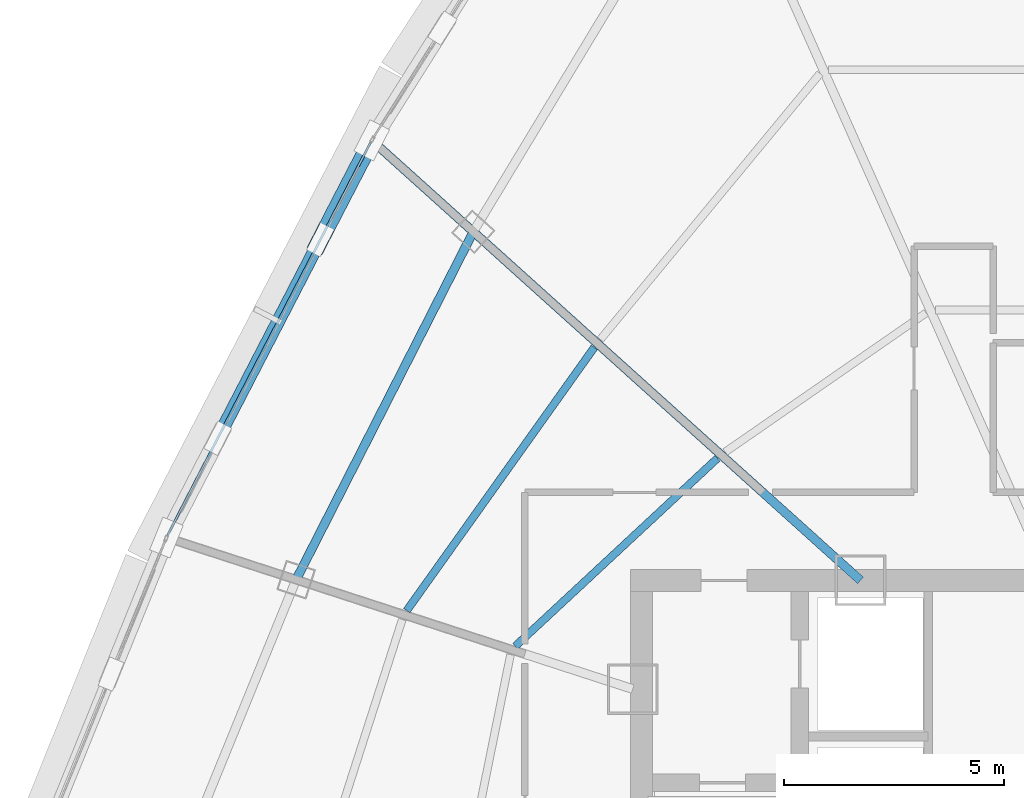
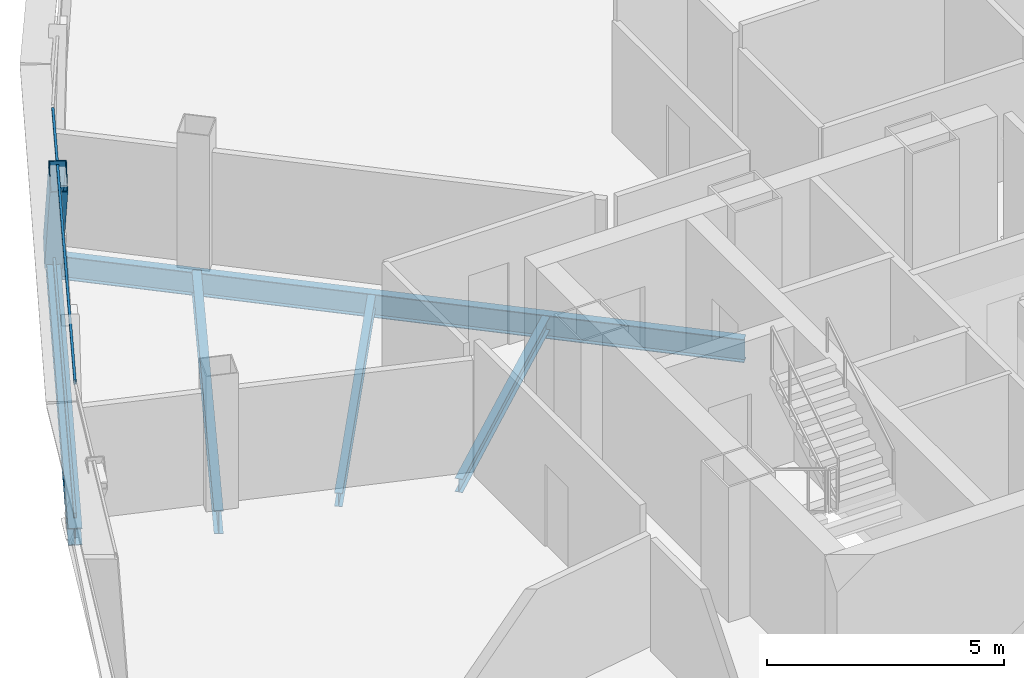
# One storey, part 8 of 28: 5 beams, 3 members, 1 element without a shape of its own.
"""IFC4 building model written with IfcOpenShell, lengths in metres."""

import ifcopenshell
import ifcopenshell.guid

model = None  # the IFC model being written
_history = None  # IfcOwnerHistory: only IFC2X3 demands one
_inside = {}  # id of a spatial element -> (the spatial element, [elements in it])
_under = {}  # id of a project, library or spatial element -> (it, [spatial elements below it])
_declared = {}  # id of a project -> (the project, [libraries it declares])
_typed = {}  # id of a type object -> (the type object, [elements of that type])
_made_of = {}  # id of a material, layer set ... -> (it, [elements and type objects made of it])


def new_model(schema):
    """Start an empty IFC model of exactly this schema.

    Asked for "IFC4X3", IfcOpenShell would pick the latest addendum, in which some entities
    have other attributes; the version numbers below select the first issue.
    IFC2X3 requires an IfcOwnerHistory on every rooted entity: one is made here for all.
    """
    global model, _history
    if schema == "IFC4X3":
        model = ifcopenshell.file(schema_version=(4, 3, 0, 0))
    else:
        model = ifcopenshell.file(schema=schema)
    _inside.clear()
    _under.clear()
    _declared.clear()
    _typed.clear()
    _made_of.clear()
    _history = None
    if model.schema == "IFC2X3":
        org = make("IfcOrganization", Name="unknown")
        user = make(
            "IfcPersonAndOrganization",
            ThePerson=make("IfcPerson", FamilyName="unknown"),
            TheOrganization=org,
        )
        app = make(
            "IfcApplication",
            ApplicationDeveloper=org,
            Version="unknown",
            ApplicationFullName="unknown",
            ApplicationIdentifier="unknown",
        )
        _history = make(
            "IfcOwnerHistory",
            OwningUser=user,
            OwningApplication=app,
            ChangeAction="ADDED",
            CreationDate=0,
        )
    return model


def make(cls, **values):
    """One entity of the class cls with the attributes given. An attribute that is None is left unset."""
    return model.create_entity(
        cls, **{name: value for name, value in values.items() if value is not None}
    )


def rooted(cls, **values):
    """An entity with a GlobalId (a new one), such as an element, a storey or a relation."""
    return make(cls, GlobalId=ifcopenshell.guid.new(), OwnerHistory=_history, **values)


def si_unit(unit_type, name, prefix=None):
    """IfcSIUnit, for example si_unit("LENGTHUNIT", "METRE", prefix="MILLI")."""
    return make("IfcSIUnit", UnitType=unit_type, Prefix=prefix, Name=name)


def assignment(units):
    """IfcUnitAssignment: the units of a project."""
    return None if units is None else make("IfcUnitAssignment", Units=units)


def point(xyz):
    """IfcCartesianPoint."""
    return None if xyz is None else make("IfcCartesianPoint", Coordinates=xyz)


def direction(xyz):
    """IfcDirection."""
    return None if xyz is None else make("IfcDirection", DirectionRatios=xyz)


def frame(location, z_axis=None, x_axis=None):
    """IfcAxis2Placement3D, a coordinate frame: its origin and axes. An axis left out is left unset."""
    return make(
        "IfcAxis2Placement3D",
        Location=point(location),
        Axis=direction(z_axis),
        RefDirection=direction(x_axis),
    )


def frame_2d(location, x_axis=None):
    """IfcAxis2Placement2D, a coordinate frame in the plane: its origin and x axis."""
    return make(
        "IfcAxis2Placement2D", Location=point(location), RefDirection=direction(x_axis)
    )


def origin():
    """The frame at (0, 0, 0) with its axes left unset."""
    return frame((0.0, 0.0, 0.0))


def origin_2d():
    """The frame at (0, 0) in the plane with its x axis left unset."""
    return frame_2d((0.0, 0.0))


def place(relative_to, where):
    """IfcLocalPlacement: puts the frame where relative to a parent placement (None: the world)."""
    return make(
        "IfcLocalPlacement", PlacementRelTo=relative_to, RelativePlacement=where
    )


def context(
    kind, dimensions, precision=None, world=None, true_north=None, identifier=None
):
    """IfcGeometricRepresentationContext, for example the 3D "Model" context."""
    return make(
        "IfcGeometricRepresentationContext",
        ContextIdentifier=identifier,
        ContextType=kind,
        CoordinateSpaceDimension=dimensions,
        Precision=precision,
        WorldCoordinateSystem=world,
        TrueNorth=true_north,
    )


def subcontext(parent, identifier, kind, view, scale=None):
    """IfcGeometricRepresentationSubContext, for example "Body" below "Model"."""
    return make(
        "IfcGeometricRepresentationSubContext",
        ContextIdentifier=identifier,
        ContextType=kind,
        ParentContext=parent,
        TargetScale=scale,
        TargetView=view,
    )


def project(units=None, contexts=None):
    """IfcProject with its units and contexts."""
    return rooted(
        "IfcProject",
        Name="project",
        RepresentationContexts=contexts,
        UnitsInContext=assignment(units),
    )


def spatial(cls, under=None, at=None, **own):
    """A site, building, storey or space (cls), placed at a placement, below another one or the project."""
    s = rooted(cls, ObjectPlacement=at, **own)
    if under is not None:
        _under.setdefault(under.id(), (under, []))[1].append(s)
    return s


def profile(cls, at=None, kind="AREA", **sizes):
    """A parametric profile (cls). Its sizes go by their IFC names, for example OverallWidth=200.0."""
    return make(cls, ProfileType=kind, Position=at, **sizes)


def hollow_rectangle(**sizes):
    """IfcRectangleHollowProfileDef."""
    return profile("IfcRectangleHollowProfileDef", **sizes)


def i_section(**sizes):
    """IfcIShapeProfileDef."""
    return profile("IfcIShapeProfileDef", **sizes)


def extrude(swept, where, along, depth):
    """IfcExtrudedAreaSolid: the profile swept, set in the frame where, extruded along a direction by depth."""
    return make(
        "IfcExtrudedAreaSolid",
        SweptArea=swept,
        Position=where,
        ExtrudedDirection=direction(along),
        Depth=depth,
    )


def shape(context_of_items, identifier, shape_type, items):
    """IfcShapeRepresentation: the items that make up one representation, for example the "Body"."""
    return make(
        "IfcShapeRepresentation",
        ContextOfItems=context_of_items,
        RepresentationIdentifier=identifier,
        RepresentationType=shape_type,
        Items=items,
    )


def source(mapping_origin, context_of_items, identifier, shape_type, items):
    """IfcRepresentationMap: a shape defined once, which mapped items show again and again."""
    return make(
        "IfcRepresentationMap",
        MappingOrigin=mapping_origin,
        MappedRepresentation=shape(context_of_items, identifier, shape_type, items),
    )


def transform(
    local_origin,
    x_axis=None,
    y_axis=None,
    z_axis=None,
    scale=None,
    scale2=None,
    scale3=None,
    uniform=True,
):
    """IfcCartesianTransformationOperator3D, or its non-uniform kind. x_axis, y_axis, z_axis: its Axis1, 2, 3."""
    if uniform:
        return make(
            "IfcCartesianTransformationOperator3D",
            Axis1=direction(x_axis),
            Axis2=direction(y_axis),
            LocalOrigin=point(local_origin),
            Scale=scale,
            Axis3=direction(z_axis),
        )
    return make(
        "IfcCartesianTransformationOperator3DnonUniform",
        Axis1=direction(x_axis),
        Axis2=direction(y_axis),
        LocalOrigin=point(local_origin),
        Scale=scale,
        Axis3=direction(z_axis),
        Scale2=scale2,
        Scale3=scale3,
    )


def mapped(mapping_source, mapping_target):
    """IfcMappedItem: shows the shape of a source again, moved by a transform."""
    return make(
        "IfcMappedItem", MappingSource=mapping_source, MappingTarget=mapping_target
    )


def material(Name=None, Category=None):
    """IfcMaterial."""
    return make("IfcMaterial", Name=Name, Category=Category)


def layer(
    of_material, thickness, ventilated=None, Name=None, Category=None, Priority=None
):
    """IfcMaterialLayer: one layer of a wall or slab, of a material (None: an air gap)."""
    return make(
        "IfcMaterialLayer",
        Material=of_material,
        LayerThickness=thickness,
        IsVentilated=ventilated,
        Name=Name,
        Category=Category,
        Priority=Priority,
    )


def layer_set(layers, Name=None):
    """IfcMaterialLayerSet."""
    return make("IfcMaterialLayerSet", MaterialLayers=layers, LayerSetName=Name)


def material_profile(
    of_material, cross_section, Name=None, Category=None, Priority=None
):
    """IfcMaterialProfile: a cross section and its material."""
    return make(
        "IfcMaterialProfile",
        Name=Name,
        Material=of_material,
        Profile=cross_section,
        Priority=Priority,
        Category=Category,
    )


def profile_set(profiles, Name=None, composite=None):
    """IfcMaterialProfileSet."""
    return make(
        "IfcMaterialProfileSet",
        Name=Name,
        MaterialProfiles=profiles,
        CompositeProfile=composite,
    )


def made_of(thing, what):
    """Note that an element or type object is made of a material, layer set ...; save() writes the relation."""
    if what is not None:
        _made_of.setdefault(what.id(), (what, []))[1].append(thing)
    return thing


def type_object(cls, material=None, **own):
    """A type object (cls), such as IfcWallType, which elements share."""
    return made_of(rooted(cls, **own), material)


def element(
    cls,
    number,
    at=None,
    inside=None,
    cuts=None,
    type_object=None,
    material=None,
    context=None,
    identifier="Body",
    shape_type=None,
    held_by="IfcProductDefinitionShape",
    body=None,
    shapes=None,
    **own,
):
    """One element of the class cls, such as IfcWall. Its Tag is "e" and its number.

    at: its placement. inside: the storey or other place that contains it. cuts: it is an
    opening in that element (IfcRelVoidsElement). A single representation is given by context,
    identifier, shape_type and body (its items); several are given by shapes. held_by: the class
    of the entity that holds the representations. save() writes the other relations.
    """
    e = rooted(cls, Tag="e%d" % number, ObjectPlacement=at, **own)
    if body is not None:
        shapes = [shape(context, identifier, shape_type, body)]
    if shapes is not None:
        e.Representation = make(held_by, Representations=shapes)
    if inside is not None:
        _inside.setdefault(inside.id(), (inside, []))[1].append(e)
    if cuts is not None:
        rooted(
            "IfcRelVoidsElement", RelatingBuildingElement=cuts, RelatedOpeningElement=e
        )
    if type_object is not None:
        _typed.setdefault(type_object.id(), (type_object, []))[1].append(e)
    return made_of(e, material)


def aggregate(whole, parts):
    """IfcRelAggregates: a whole, such as a stair, and the parts it consists of."""
    return rooted("IfcRelAggregates", RelatingObject=whole, RelatedObjects=parts)


def save(model, path):
    """Write the relations noted so far, then the file.

    IfcRelAggregates (storeys below a building ...), IfcRelContainedInSpatialStructure (elements
    in a storey), IfcRelDefinesByType, IfcRelAssociatesMaterial and IfcRelDeclares: one each for
    every whole, place, type object, material and project.
    """
    for whole, parts in _under.values():
        aggregate(whole, parts)
    for where, things in _inside.values():
        rooted(
            "IfcRelContainedInSpatialStructure",
            RelatedElements=things,
            RelatingStructure=where,
        )
    for kind, things in _typed.values():
        rooted("IfcRelDefinesByType", RelatedObjects=things, RelatingType=kind)
    for what, things in _made_of.values():
        rooted("IfcRelAssociatesMaterial", RelatedObjects=things, RelatingMaterial=what)
    for by, libraries in _declared.values():
        rooted("IfcRelDeclares", RelatingContext=by, RelatedDefinitions=libraries)
    model.write(path)


model = new_model("IFC4")

# Units and contexts
model_context = context("Model", 3, precision=1e-05, world=origin(), true_north=direction((0.0, 1.0)))
body_context = subcontext(model_context, "Body", "Model", "MODEL_VIEW")
ifc_project = project(units=[si_unit("LENGTHUNIT", "METRE"), si_unit("AREAUNIT", "SQUARE_METRE"), si_unit("VOLUMEUNIT", "CUBIC_METRE"), si_unit("PLANEANGLEUNIT", "RADIAN"), si_unit("MASSUNIT", "GRAM", prefix="KILO"), si_unit("THERMODYNAMICTEMPERATUREUNIT", "KELVIN"), si_unit("POWERUNIT", "WATT")], contexts=[model_context])

# Site, building, storey
site_placement = place(None, origin())
site = spatial("IfcSite", under=ifc_project, at=site_placement, CompositionType="ELEMENT")
building_placement = place(site_placement, origin())
building = spatial("IfcBuilding", under=site, at=building_placement, Name="Yunzhuo Pagoda Commons", CompositionType="ELEMENT")
storey_placement = place(building_placement, frame((0.0, 0.0, 336.760009765625)))
storey = spatial("IfcBuildingStorey", under=building, at=storey_placement, Name="L84", CompositionType="ELEMENT", Elevation=336.760009765625)

# Beams
ifc_material_1 = material(Name="Structural steel Q355B", Category="steel")
ifc_material_profile_1 = material_profile(ifc_material_1, i_section(OverallWidth=0.199951171875, OverallDepth=0.60009765625, WebThickness=0.010986328125, FlangeThickness=0.01708984375, at=origin_2d()), Name="Structural steel Q355B")
ifc_profile_set_1 = profile_set([ifc_material_profile_1], Name="Structural steel Q355B")
beam_type_1 = type_object("IfcBeamType", Name="B-RG3 Beam HN 600x200x11x17", PredefinedType="BEAM", material=ifc_profile_set_1)
shared_shape_1 = source(origin(), body_context, "Body", "SweptSolid", [
    extrude(i_section(OverallWidth=0.199951171875, OverallDepth=0.60009765625, WebThickness=0.010986328125, FlangeThickness=0.01708984375, at=origin_2d()), origin(), (0.0, 0.0, 1.0), 8.87939453125),
])
beam_1_placement = place(storey_placement, frame((31.975341796875, 48.128662109375, -0.56005859375), z_axis=(-0.453723535687, -0.891142498798, 0.0), x_axis=(0.891142498798, -0.453723535687, 0.0)))
element("IfcBeam", 1, at=beam_1_placement, inside=storey, type_object=beam_type_1, Name="L84 column-ring beam 10", PredefinedType="BEAM", context=body_context, shape_type="MappedRepresentation", body=[
    mapped(shared_shape_1, transform((0.0, 0.0, 0.0), scale=1.0)),
])
ifc_material_profile_2 = material_profile(ifc_material_1, i_section(OverallWidth=0.175048828125, OverallDepth=0.35009765625, WebThickness=0.007080078125, FlangeThickness=0.010986328125, at=origin_2d()), Name="Structural steel Q355B")
ifc_profile_set_2 = profile_set([ifc_material_profile_2], Name="Structural steel Q355B")
beam_type_2 = type_object("IfcBeamType", Name="B-JS2 Joist HN 350x175x7x11", PredefinedType="JOIST", material=ifc_profile_set_2)
shared_shape_2 = source(origin(), body_context, "Body", "SweptSolid", [
    extrude(i_section(OverallWidth=0.175048828125, OverallDepth=0.35009765625, WebThickness=0.007080078125, FlangeThickness=0.010986328125, at=origin_2d()), origin(), (0.0, 0.0, 1.0), 6.277099609375),
])
beam_2_placement = place(storey_placement, frame((37.526611328125, 42.97607421875, -0.43505859375), z_axis=(-0.73244154109, -0.68082992655, 0.0), x_axis=(0.68082992655, -0.73244154109, 0.0)))
element("IfcBeam", 2, at=beam_2_placement, inside=storey, type_object=beam_type_2, Name="L84 composite ring joist 1.10", PredefinedType="JOIST", context=body_context, shape_type="MappedRepresentation", body=[
    mapped(shared_shape_2, transform((0.0, 0.0, 0.0), scale=1.0)),
])
shared_shape_3 = source(origin(), body_context, "Body", "SweptSolid", [
    extrude(i_section(OverallWidth=0.175048828125, OverallDepth=0.35009765625, WebThickness=0.007080078125, FlangeThickness=0.010986328125, at=origin_2d()), origin(), (0.0, 0.0, 1.0), 7.347900390625),
])
beam_3_placement = place(storey_placement, frame((34.726318359375, 45.497802734375, -0.43505859375), z_axis=(-0.580294898948, -0.814406428177, 0.0), x_axis=(0.814406428177, -0.580294898948, 0.0)))
element("IfcBeam", 3, at=beam_3_placement, inside=storey, type_object=beam_type_2, Name="L84 composite ring joist 2.10", PredefinedType="JOIST", context=body_context, shape_type="MappedRepresentation", body=[
    mapped(shared_shape_3, transform((0.0, 0.0, 0.0), scale=1.0)),
])
shared_shape_4 = source(origin(), body_context, "Body", "SweptSolid", [
    extrude(i_section(OverallWidth=0.199951171875, OverallDepth=0.60009765625, WebThickness=0.010986328125, FlangeThickness=0.01708984375, at=origin_2d()), origin(), (0.0, 0.0, 1.0), 14.802001953125),
])
beam_4_placement = place(storey_placement, frame((29.781005859375, 50.1044921875, -0.56005859375), z_axis=(0.743141582684, -0.669134207828, 0.0), x_axis=(0.669134207828, 0.743141582684, 0.0)))
element("IfcBeam", 4, at=beam_4_placement, inside=storey, type_object=beam_type_1, Name="L84 radial floor girder F3C2", PredefinedType="BEAM", context=body_context, shape_type="MappedRepresentation", body=[
    mapped(shared_shape_4, transform((0.0, 0.0, 0.0), scale=1.0)),
])
ifc_material_profile_3 = material_profile(ifc_material_1, i_section(OverallWidth=0.300048828125, OverallDepth=0.43994140625, WebThickness=0.010986328125, FlangeThickness=0.01806640625, at=origin_2d()), Name="Structural steel Q355B")
ifc_profile_set_3 = profile_set([ifc_material_profile_3], Name="Structural steel Q355B")
beam_type_3 = type_object("IfcBeamType", Name="B-SP2 Beam HM 440x300x11x18", PredefinedType="BEAM", material=ifc_profile_set_3)
shared_shape_5 = source(origin(), body_context, "Body", "SweptSolid", [
    extrude(i_section(OverallWidth=0.300048828125, OverallDepth=0.43994140625, WebThickness=0.010986328125, FlangeThickness=0.01806640625, at=origin_2d()), origin(), (0.0, 0.0, 1.0), 10.169189453125),
])
beam_5_placement = place(storey_placement, frame((29.666015625, 50.2080078125, -0.47998046875), z_axis=(-0.459129639979, -0.888369277774, 0.0), x_axis=(0.888369277774, -0.459129639979, 0.0)))
element("IfcBeam", 5, at=beam_5_placement, inside=storey, type_object=beam_type_3, Name="L84 facade edge spandrel beam F3.2", PredefinedType="BEAM", context=body_context, shape_type="MappedRepresentation", body=[
    mapped(shared_shape_5, transform((0.0, 0.0, 0.0), scale=1.0)),
])

# Member
ifc_material_profile_4 = material_profile(ifc_material_1, hollow_rectangle(XDim=0.3798828125, YDim=0.719970703125, WallThickness=0.02001953125, at=origin_2d()), Name="Structural steel Q355B")
ifc_profile_set_4 = profile_set([ifc_material_profile_4], Name="Structural steel Q355B")
member_type_1 = type_object("IfcMemberType", Name="M-DL3 Brace BOX 720x380x20", PredefinedType="BRACE", material=ifc_profile_set_4)
shared_shape_6 = source(origin(), body_context, "Body", "SweptSolid", [
    extrude(hollow_rectangle(XDim=0.3798828125, YDim=0.719970703125, WallThickness=0.02001953125, at=origin_2d()), origin(), (0.0, 0.0, 1.0), 4.530517578125),
])
member_1_placement = place(storey_placement, frame((29.666015625, 50.2080078125, -0.260009765625), z_axis=(-0.257693497127, -0.498466091264, 0.827723152629), x_axis=(0.888314918518, -0.459234804363, 0.0)))
element("IfcMember", 6, at=member_1_placement, inside=storey, type_object=member_type_1, Name="L84 facade diamond brace F3.2L", PredefinedType="BRACE", context=body_context, shape_type="MappedRepresentation", body=[
    mapped(shared_shape_6, transform((0.0, 0.0, 0.0), scale=1.0)),
])

# Curtain wall, members
ifc_material_2 = material(Name="Anodized aluminium 6063-T6", Category="aluminium")
ifc_layer = layer(ifc_material_2, 0.139892578125)
ifc_layer_set = layer_set([ifc_layer], Name="Anodized aluminium 6063-T6")
curtain_wall_type = type_object("IfcCurtainWallType", Name="CW-HI High-Zone Ribbon Curtain Wall", PredefinedType="NOTDEFINED", material=ifc_layer_set)
curtain_wall_placement = place(storey_placement, origin())
curtain_wall = element("IfcCurtainWall", 7, at=curtain_wall_placement, inside=storey, type_object=curtain_wall_type, Name="L84 curtain wall CW-L84-F3B3", PredefinedType="NOTDEFINED")
ifc_material_profile_5 = material_profile(ifc_material_2, hollow_rectangle(XDim=0.054931640625, YDim=0.1201171875, WallThickness=0.00341796875, at=origin_2d()), Name="Anodized aluminium 6063-T6")
ifc_profile_set_5 = profile_set([ifc_material_profile_5], Name="Anodized aluminium 6063-T6")
member_type_2 = type_object("IfcMemberType", Name="CW-HI-T Transom RHS 120x55x3.5", PredefinedType="USERDEFINED", material=ifc_profile_set_5)
shared_shape_7 = source(origin(), body_context, "Body", "SweptSolid", [
    extrude(hollow_rectangle(XDim=0.054931640625, YDim=0.1201171875, WallThickness=0.00341796875, at=origin_2d()), origin(), (0.0, 0.0, 1.0), 10.049072265625),
])
member_2_placement = place(storey_placement, frame((29.63818359375, 50.15478515625, 0.027587890625), z_axis=(-0.459097712328, -0.88838577799, 0.0), x_axis=(0.88838577799, -0.459097712328, 0.0)))
member_2 = element("IfcMember", 8, at=member_2_placement, type_object=member_type_2, Name="CW transom 1.1", ObjectType="TRANSOM", PredefinedType="USERDEFINED", context=body_context, shape_type="MappedRepresentation", body=[
    mapped(shared_shape_7, transform((0.0, 0.0, 0.0), scale=1.0)),
])
member_3_placement = place(storey_placement, frame((29.63818359375, 50.15478515625, 3.46240234375), z_axis=(-0.459097712328, -0.88838577799, 0.0), x_axis=(0.88838577799, -0.459097712328, 0.0)))
member_3 = element("IfcMember", 9, at=member_3_placement, type_object=member_type_2, Name="CW transom 1.2", ObjectType="TRANSOM", PredefinedType="USERDEFINED", context=body_context, shape_type="MappedRepresentation", body=[
    mapped(shared_shape_7, transform((0.0, 0.0, 0.0), scale=1.0)),
])
aggregate(curtain_wall, [member_2, member_3])

save(model, "model.ifc")
